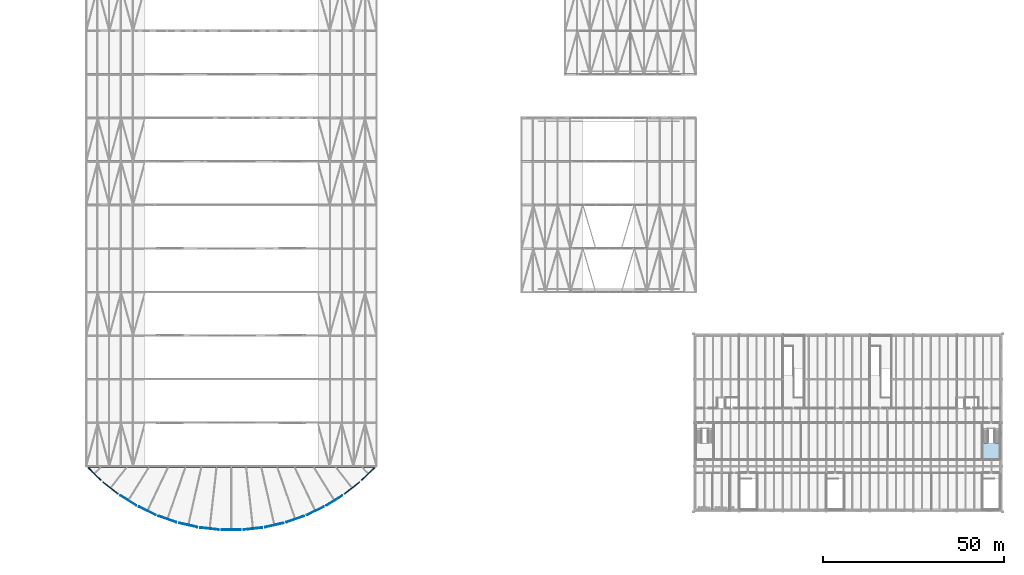
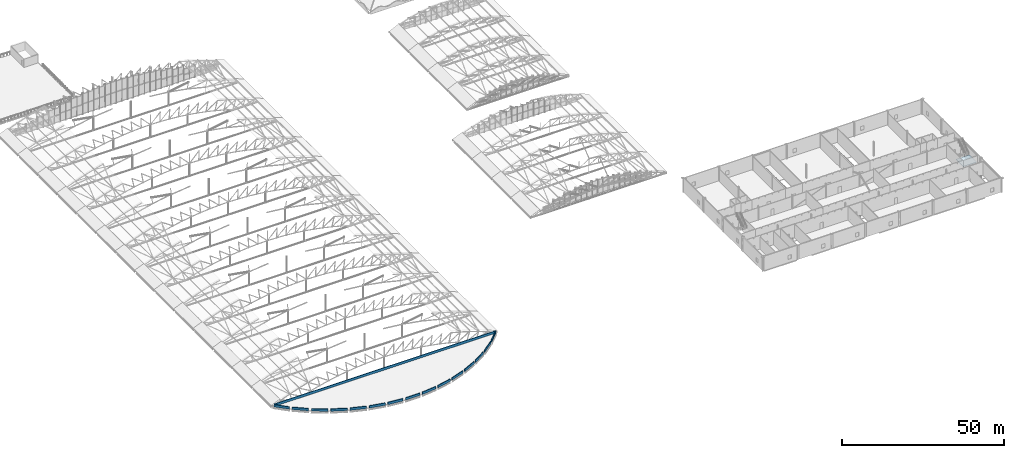
# One storey, part 255 of 321: 16 walls, 1 slab, 1 element without a shape of its own.
"""IFC4 building model written with IfcOpenShell, lengths in metres."""

from ifc_helpers import new_model, si_unit, direction, frame, frame_2d, origin, place, context, subcontext, project, spatial, polyline, rectangle, outline, extrude, material, layer, layer_set, type_object, element, aggregate, save


model = new_model("IFC4")

# Units and contexts
model_context = context("Model", 3, precision=1e-05, world=origin(), true_north=direction((0.0, 1.0)))
body_context = subcontext(model_context, "Body", "Model", "MODEL_VIEW")
ifc_project = project(units=[si_unit("LENGTHUNIT", "METRE"), si_unit("AREAUNIT", "SQUARE_METRE"), si_unit("VOLUMEUNIT", "CUBIC_METRE"), si_unit("PLANEANGLEUNIT", "RADIAN"), si_unit("MASSUNIT", "GRAM", prefix="KILO")], contexts=[model_context])

# Site, building, storey
site_placement = place(None, origin())
site = spatial("IfcSite", under=ifc_project, at=site_placement, CompositionType="ELEMENT")
building_placement = place(site_placement, origin())
building = spatial("IfcBuilding", under=site, at=building_placement, Name="Ravi Spectrum Wholesale Market", CompositionType="ELEMENT")
storey_placement = place(building_placement, frame((0.0, 0.0, 10.800048828125)))
storey = spatial("IfcBuildingStorey", under=building, at=storey_placement, Name="L02", CompositionType="ELEMENT", Elevation=10.800048828125)

# Stair, slab
ifc_material_1 = material(Name="Concrete C35/45", Category="concrete")
stair_type = type_object("IfcStairType", Name="Stair", PredefinedType="NOTDEFINED", material=ifc_material_1)
stair_placement = place(storey_placement, origin())
stair = element("IfcStair", 1, at=stair_placement, inside=storey, type_object=stair_type, Name="L02 S-CS-2", PredefinedType="HALF_TURN_STAIR")
ifc_material_2 = material(Name="Concrete C35/45", Category="concrete")
ifc_layer_1 = layer(ifc_material_2, 0.199951171875)
ifc_layer_set_1 = layer_set([ifc_layer_1], Name="Concrete C35/45")
slab_type = type_object("IfcSlabType", Name="Stair landing 200", PredefinedType="LANDING", material=ifc_layer_set_1)
slab_placement = place(storey_placement, frame((0.0, 0.0, 2.5)))
slab = element("IfcSlab", 2, at=slab_placement, type_object=slab_type, Name="S-CS-2 landing 1", PredefinedType="LANDING", context=body_context, shape_type="SweptSolid", body=[
    extrude(outline(polyline([(277.125, 36.429931640625), (277.125, 31.925048828125), (281.875, 31.925048828125), (281.875, 36.429931640625), (277.125, 36.429931640625)])), origin(), (0.0, 0.0, 1.0), 0.199951171875),
])
aggregate(stair, [slab])

# Walls
ifc_material_3 = material(Name="Facing brickwork", Category="masonry")
ifc_layer_2 = layer(ifc_material_3, 0.22998046875)
ifc_layer_set_2 = layer_set([ifc_layer_2], Name="Facing brickwork")
wall_type = type_object("IfcWallType", Name="Brick parapet 230", PredefinedType="PARAPET", material=ifc_layer_set_2)
wall_1_placement = place(storey_placement, frame((30.6630859375, 29.783935546875, 0.050048828125), z_axis=(0.0, 0.0, 1.0), x_axis=(0.999999999923, 1.2412646e-05, 0.0)))
element("IfcWall", 3, at=wall_1_placement, inside=storey, type_object=wall_type, Name="H1-WL-L02-001", PredefinedType="PARAPET", context=body_context, shape_type="SweptSolid", body=[
    extrude(rectangle(XDim=78.6748046875, YDim=0.22998046875, at=frame_2d((39.33740234375, 0.0))), origin(), (0.0, 0.0, 1.0), 0.89990234375),
])
wall_2_placement = place(storey_placement, frame((109.418701171875, 29.588134765625, 0.050048828125), z_axis=(0.0, 0.0, 1.0), x_axis=(-0.711927312265, -0.70225316094, 0.0)))
element("IfcWall", 4, at=wall_2_placement, inside=storey, type_object=wall_type, Name="H1-WL-L02-002", PredefinedType="PARAPET", context=body_context, shape_type="SweptSolid", body=[
    extrude(rectangle(XDim=4.87060546875, YDim=0.22998046875, at=frame_2d((2.435302734375, 0.0))), origin(), (0.0, 0.0, 1.0), 0.89990234375),
])
for number, where, z_axis, x_axis, name in (
    (5, (105.3232421875, 25.613037109375, 0.050048828125), (0.0, 0.0, 1.0), (-0.785496552151, -0.618866032804, 0.0), "H1-WL-L02-003"),
    (6, (100.591064453125, 21.943603515625, 0.050048828125), (0.0, 0.0, 1.0), (-0.849311703616, -0.527891684061, 0.0), "H1-WL-L02-004"),
):
    element("IfcWall", number, at=place(storey_placement, frame(where, z_axis=z_axis, x_axis=x_axis)), inside=storey, type_object=wall_type, Name=name, PredefinedType="PARAPET", context=body_context, shape_type="SweptSolid", body=[
        extrude(rectangle(XDim=5.158935546875, YDim=0.22998046875, at=frame_2d((2.57958984375, 0.0))), origin(), (0.0, 0.0, 1.0), 0.89990234375),
    ])
wall_3_placement = place(storey_placement, frame((95.48095703125, 18.82177734375, 0.050048828125), z_axis=(0.0, 0.0, 1.0), x_axis=(-0.902652081586, -0.430371025521, 0.0)))
element("IfcWall", 7, at=wall_3_placement, inside=storey, type_object=wall_type, Name="H1-WL-L02-005", PredefinedType="PARAPET", context=body_context, shape_type="SweptSolid", body=[
    extrude(rectangle(XDim=5.155517578125, YDim=0.22998046875, at=frame_2d((2.57763671875, 0.0))), origin(), (0.0, 0.0, 1.0), 0.89990234375),
])
wall_4_placement = place(storey_placement, frame((90.059326171875, 16.287841796875, 0.050048828125), z_axis=(0.0, 0.0, 1.0), x_axis=(-0.94484420424, -0.327520121083, 0.0)))
element("IfcWall", 8, at=wall_4_placement, inside=storey, type_object=wall_type, Name="H1-WL-L02-006", PredefinedType="PARAPET", context=body_context, shape_type="SweptSolid", body=[
    extrude(rectangle(XDim=5.1591796875, YDim=0.22998046875, at=frame_2d((2.57958984375, 0.0))), origin(), (0.0, 0.0, 1.0), 0.89990234375),
])
wall_5_placement = place(storey_placement, frame((84.38623046875, 14.3701171875, 0.050048828125), z_axis=(0.0, 0.0, 1.0), x_axis=(-0.975358279481, -0.22062689466, 0.0)))
element("IfcWall", 9, at=wall_5_placement, inside=storey, type_object=wall_type, Name="H1-WL-L02-007", PredefinedType="PARAPET", context=body_context, shape_type="SweptSolid", body=[
    extrude(rectangle(XDim=5.158935546875, YDim=0.22998046875, at=frame_2d((2.57958984375, 0.0))), origin(), (0.0, 0.0, 1.0), 0.89990234375),
])
wall_6_placement = place(storey_placement, frame((78.528076171875, 13.093017578125, 0.050048828125), z_axis=(0.0, 0.0, 1.0), x_axis=(-0.993823971907, -0.110968071365, 0.0)))
element("IfcWall", 10, at=wall_6_placement, inside=storey, type_object=wall_type, Name="H1-WL-L02-008", PredefinedType="PARAPET", context=body_context, shape_type="SweptSolid", body=[
    extrude(rectangle(XDim=5.143798828125, YDim=0.22998046875, at=frame_2d((2.57177734375, 0.0))), origin(), (0.0, 0.0, 1.0), 0.89990234375),
])
for number, where, z_axis, x_axis, name in (
    (11, (72.579345703125, 12.47509765625, 0.050048828125), (0.0, 0.0, 1.0), (-1.0, 0.0, 0.0), "H1-WL-L02-009"),
    (12, (66.591552734375, 12.521484375, 0.050048828125), (0.0, 0.0, 1.0), (-0.993826383164, 0.110946474153, 0.0), "H1-WL-L02-010"),
):
    element("IfcWall", number, at=place(storey_placement, frame(where, z_axis=z_axis, x_axis=x_axis)), inside=storey, type_object=wall_type, Name=name, PredefinedType="PARAPET", context=body_context, shape_type="SweptSolid", body=[
        extrude(rectangle(XDim=5.1513671875, YDim=0.22998046875, at=frame_2d((2.57568359375, 0.0))), origin(), (0.0, 0.0, 1.0), 0.89990234375),
    ])
wall_7_placement = place(storey_placement, frame((60.6455078125, 13.23193359375, 0.050048828125), z_axis=(0.0, 0.0, 1.0), x_axis=(-0.975358279481, 0.22062689466, 0.0)))
element("IfcWall", 13, at=wall_7_placement, inside=storey, type_object=wall_type, Name="H1-WL-L02-011", PredefinedType="PARAPET", context=body_context, shape_type="SweptSolid", body=[
    extrude(rectangle(XDim=5.158935546875, YDim=0.22998046875, at=frame_2d((2.57958984375, 0.0))), origin(), (0.0, 0.0, 1.0), 0.89990234375),
])
for number, where, z_axis, x_axis, name in (
    (14, (54.815185546875, 14.59814453125, 0.050048828125), (0.0, 0.0, 1.0), (-0.94484420424, 0.327520121083, 0.0), "H1-WL-L02-012"),
    (15, (49.176025390625, 16.6015625, 0.050048828125), (0.0, 0.0, 1.0), (-0.90266448982, 0.43034499976, 0.0), "H1-WL-L02-013"),
):
    element("IfcWall", number, at=place(storey_placement, frame(where, z_axis=z_axis, x_axis=x_axis)), inside=storey, type_object=wall_type, Name=name, PredefinedType="PARAPET", context=body_context, shape_type="SweptSolid", body=[
        extrude(rectangle(XDim=5.1591796875, YDim=0.22998046875, at=frame_2d((2.57958984375, 0.0))), origin(), (0.0, 0.0, 1.0), 0.89990234375),
    ])
for number, where, z_axis, x_axis, name in (
    (16, (43.79052734375, 19.22021484375, 0.050048828125), (0.0, 0.0, 1.0), (-0.849311703616, 0.527891684061, 0.0), "H1-WL-L02-014"),
    (17, (38.72900390625, 22.42041015625, 0.050048828125), (0.0, 0.0, 1.0), (-0.785496552151, 0.618866032804, 0.0), "H1-WL-L02-015"),
):
    element("IfcWall", number, at=place(storey_placement, frame(where, z_axis=z_axis, x_axis=x_axis)), inside=storey, type_object=wall_type, Name=name, PredefinedType="PARAPET", context=body_context, shape_type="SweptSolid", body=[
        extrude(rectangle(XDim=5.158935546875, YDim=0.22998046875, at=frame_2d((2.57958984375, 0.0))), origin(), (0.0, 0.0, 1.0), 0.89990234375),
    ])
wall_8_placement = place(storey_placement, frame((34.048828125, 26.167724609375, 0.050048828125), z_axis=(0.0, 0.0, 1.0), x_axis=(-0.711928674791, 0.702251779641, 0.0)))
element("IfcWall", 18, at=wall_8_placement, inside=storey, type_object=wall_type, Name="H1-WL-L02-016", PredefinedType="PARAPET", context=body_context, shape_type="SweptSolid", body=[
    extrude(rectangle(XDim=4.869140625, YDim=0.22998046875, at=frame_2d((2.4345703125, 0.0))), origin(), (0.0, 0.0, 1.0), 0.89990234375),
])

save(model, "model.ifc")
